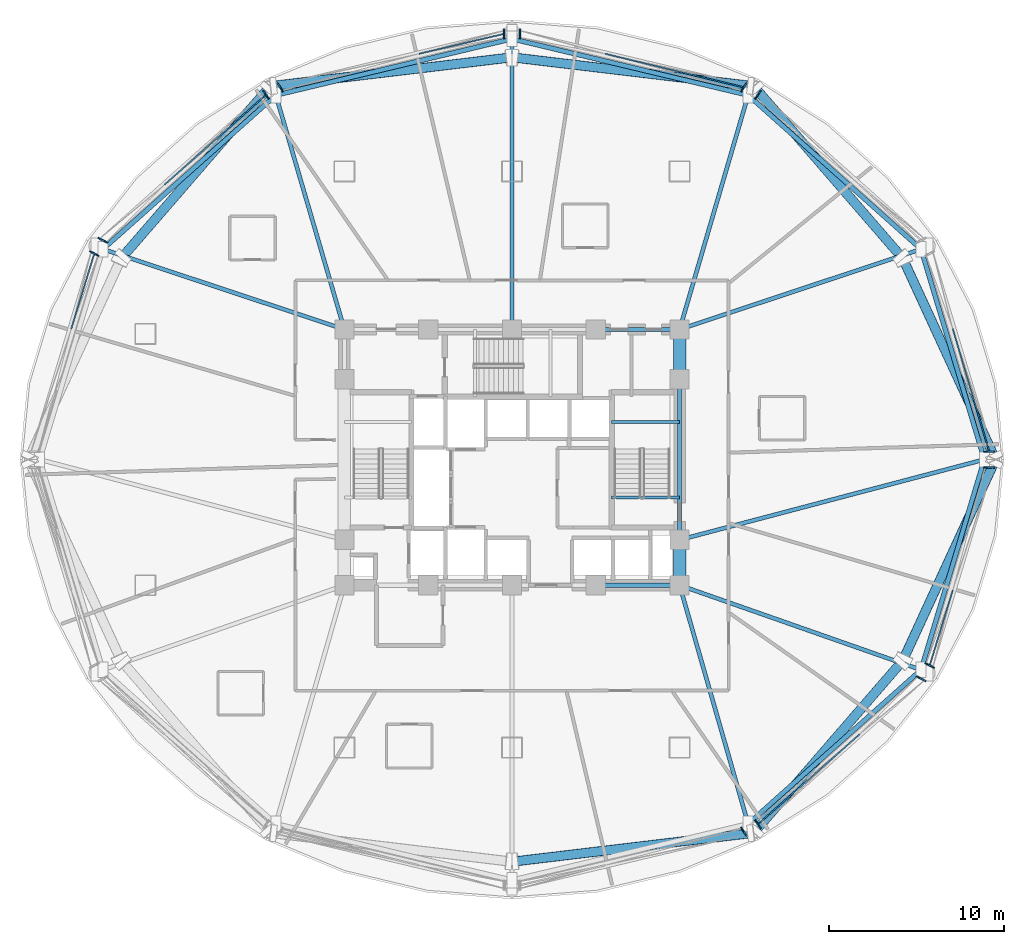
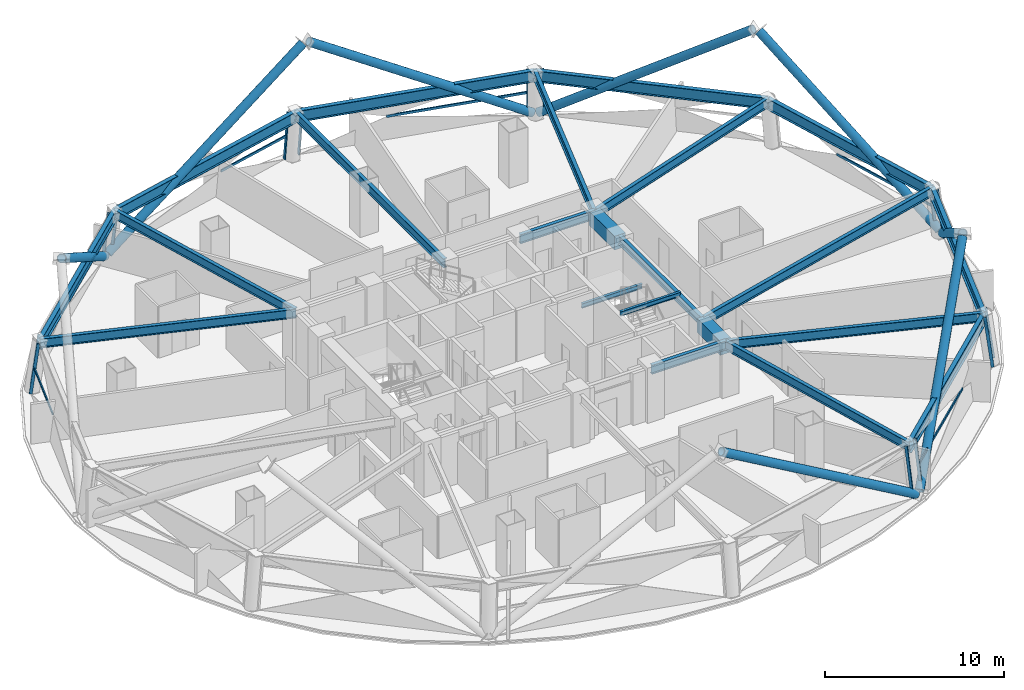
# One storey, part 2 of 13: 29 members, 22 beams, 9 elements without a shape of their own.
"""IFC4 building model written with IfcOpenShell, lengths in metres."""

import ifcopenshell
import ifcopenshell.guid

model = None  # the IFC model being written
_history = None  # IfcOwnerHistory: only IFC2X3 demands one
_inside = {}  # id of a spatial element -> (the spatial element, [elements in it])
_under = {}  # id of a project, library or spatial element -> (it, [spatial elements below it])
_declared = {}  # id of a project -> (the project, [libraries it declares])
_typed = {}  # id of a type object -> (the type object, [elements of that type])
_made_of = {}  # id of a material, layer set ... -> (it, [elements and type objects made of it])


def new_model(schema):
    """Start an empty IFC model of exactly this schema.

    Asked for "IFC4X3", IfcOpenShell would pick the latest addendum, in which some entities
    have other attributes; the version numbers below select the first issue.
    IFC2X3 requires an IfcOwnerHistory on every rooted entity: one is made here for all.
    """
    global model, _history
    if schema == "IFC4X3":
        model = ifcopenshell.file(schema_version=(4, 3, 0, 0))
    else:
        model = ifcopenshell.file(schema=schema)
    _inside.clear()
    _under.clear()
    _declared.clear()
    _typed.clear()
    _made_of.clear()
    _history = None
    if model.schema == "IFC2X3":
        org = make("IfcOrganization", Name="unknown")
        user = make(
            "IfcPersonAndOrganization",
            ThePerson=make("IfcPerson", FamilyName="unknown"),
            TheOrganization=org,
        )
        app = make(
            "IfcApplication",
            ApplicationDeveloper=org,
            Version="unknown",
            ApplicationFullName="unknown",
            ApplicationIdentifier="unknown",
        )
        _history = make(
            "IfcOwnerHistory",
            OwningUser=user,
            OwningApplication=app,
            ChangeAction="ADDED",
            CreationDate=0,
        )
    return model


def make(cls, **values):
    """One entity of the class cls with the attributes given. An attribute that is None is left unset."""
    return model.create_entity(
        cls, **{name: value for name, value in values.items() if value is not None}
    )


def rooted(cls, **values):
    """An entity with a GlobalId (a new one), such as an element, a storey or a relation."""
    return make(cls, GlobalId=ifcopenshell.guid.new(), OwnerHistory=_history, **values)


def si_unit(unit_type, name, prefix=None):
    """IfcSIUnit, for example si_unit("LENGTHUNIT", "METRE", prefix="MILLI")."""
    return make("IfcSIUnit", UnitType=unit_type, Prefix=prefix, Name=name)


def assignment(units):
    """IfcUnitAssignment: the units of a project."""
    return None if units is None else make("IfcUnitAssignment", Units=units)


def point(xyz):
    """IfcCartesianPoint."""
    return None if xyz is None else make("IfcCartesianPoint", Coordinates=xyz)


def direction(xyz):
    """IfcDirection."""
    return None if xyz is None else make("IfcDirection", DirectionRatios=xyz)


def frame(location, z_axis=None, x_axis=None):
    """IfcAxis2Placement3D, a coordinate frame: its origin and axes. An axis left out is left unset."""
    return make(
        "IfcAxis2Placement3D",
        Location=point(location),
        Axis=direction(z_axis),
        RefDirection=direction(x_axis),
    )


def frame_2d(location, x_axis=None):
    """IfcAxis2Placement2D, a coordinate frame in the plane: its origin and x axis."""
    return make(
        "IfcAxis2Placement2D", Location=point(location), RefDirection=direction(x_axis)
    )


def origin():
    """The frame at (0, 0, 0) with its axes left unset."""
    return frame((0.0, 0.0, 0.0))


def origin_2d():
    """The frame at (0, 0) in the plane with its x axis left unset."""
    return frame_2d((0.0, 0.0))


def place(relative_to, where):
    """IfcLocalPlacement: puts the frame where relative to a parent placement (None: the world)."""
    return make(
        "IfcLocalPlacement", PlacementRelTo=relative_to, RelativePlacement=where
    )


def context(
    kind, dimensions, precision=None, world=None, true_north=None, identifier=None
):
    """IfcGeometricRepresentationContext, for example the 3D "Model" context."""
    return make(
        "IfcGeometricRepresentationContext",
        ContextIdentifier=identifier,
        ContextType=kind,
        CoordinateSpaceDimension=dimensions,
        Precision=precision,
        WorldCoordinateSystem=world,
        TrueNorth=true_north,
    )


def subcontext(parent, identifier, kind, view, scale=None):
    """IfcGeometricRepresentationSubContext, for example "Body" below "Model"."""
    return make(
        "IfcGeometricRepresentationSubContext",
        ContextIdentifier=identifier,
        ContextType=kind,
        ParentContext=parent,
        TargetScale=scale,
        TargetView=view,
    )


def project(units=None, contexts=None):
    """IfcProject with its units and contexts."""
    return rooted(
        "IfcProject",
        Name="project",
        RepresentationContexts=contexts,
        UnitsInContext=assignment(units),
    )


def spatial(cls, under=None, at=None, **own):
    """A site, building, storey or space (cls), placed at a placement, below another one or the project."""
    s = rooted(cls, ObjectPlacement=at, **own)
    if under is not None:
        _under.setdefault(under.id(), (under, []))[1].append(s)
    return s


def profile(cls, at=None, kind="AREA", **sizes):
    """A parametric profile (cls). Its sizes go by their IFC names, for example OverallWidth=200.0."""
    return make(cls, ProfileType=kind, Position=at, **sizes)


def rectangle(**sizes):
    """IfcRectangleProfileDef."""
    return profile("IfcRectangleProfileDef", **sizes)


def hollow_rectangle(**sizes):
    """IfcRectangleHollowProfileDef."""
    return profile("IfcRectangleHollowProfileDef", **sizes)


def hollow_circle(**sizes):
    """IfcCircleHollowProfileDef."""
    return profile("IfcCircleHollowProfileDef", **sizes)


def i_section(**sizes):
    """IfcIShapeProfileDef."""
    return profile("IfcIShapeProfileDef", **sizes)


def extrude(swept, where, along, depth):
    """IfcExtrudedAreaSolid: the profile swept, set in the frame where, extruded along a direction by depth."""
    return make(
        "IfcExtrudedAreaSolid",
        SweptArea=swept,
        Position=where,
        ExtrudedDirection=direction(along),
        Depth=depth,
    )


def shape(context_of_items, identifier, shape_type, items):
    """IfcShapeRepresentation: the items that make up one representation, for example the "Body"."""
    return make(
        "IfcShapeRepresentation",
        ContextOfItems=context_of_items,
        RepresentationIdentifier=identifier,
        RepresentationType=shape_type,
        Items=items,
    )


def material(Name=None, Category=None):
    """IfcMaterial."""
    return make("IfcMaterial", Name=Name, Category=Category)


def layer(
    of_material, thickness, ventilated=None, Name=None, Category=None, Priority=None
):
    """IfcMaterialLayer: one layer of a wall or slab, of a material (None: an air gap)."""
    return make(
        "IfcMaterialLayer",
        Material=of_material,
        LayerThickness=thickness,
        IsVentilated=ventilated,
        Name=Name,
        Category=Category,
        Priority=Priority,
    )


def layer_set(layers, Name=None):
    """IfcMaterialLayerSet."""
    return make("IfcMaterialLayerSet", MaterialLayers=layers, LayerSetName=Name)


def material_profile(
    of_material, cross_section, Name=None, Category=None, Priority=None
):
    """IfcMaterialProfile: a cross section and its material."""
    return make(
        "IfcMaterialProfile",
        Name=Name,
        Material=of_material,
        Profile=cross_section,
        Priority=Priority,
        Category=Category,
    )


def profile_set(profiles, Name=None, composite=None):
    """IfcMaterialProfileSet."""
    return make(
        "IfcMaterialProfileSet",
        Name=Name,
        MaterialProfiles=profiles,
        CompositeProfile=composite,
    )


def made_of(thing, what):
    """Note that an element or type object is made of a material, layer set ...; save() writes the relation."""
    if what is not None:
        _made_of.setdefault(what.id(), (what, []))[1].append(thing)
    return thing


def type_object(cls, material=None, **own):
    """A type object (cls), such as IfcWallType, which elements share."""
    return made_of(rooted(cls, **own), material)


def element(
    cls,
    number,
    at=None,
    inside=None,
    cuts=None,
    type_object=None,
    material=None,
    context=None,
    identifier="Body",
    shape_type=None,
    held_by="IfcProductDefinitionShape",
    body=None,
    shapes=None,
    **own,
):
    """One element of the class cls, such as IfcWall. Its Tag is "e" and its number.

    at: its placement. inside: the storey or other place that contains it. cuts: it is an
    opening in that element (IfcRelVoidsElement). A single representation is given by context,
    identifier, shape_type and body (its items); several are given by shapes. held_by: the class
    of the entity that holds the representations. save() writes the other relations.
    """
    e = rooted(cls, Tag="e%d" % number, ObjectPlacement=at, **own)
    if body is not None:
        shapes = [shape(context, identifier, shape_type, body)]
    if shapes is not None:
        e.Representation = make(held_by, Representations=shapes)
    if inside is not None:
        _inside.setdefault(inside.id(), (inside, []))[1].append(e)
    if cuts is not None:
        rooted(
            "IfcRelVoidsElement", RelatingBuildingElement=cuts, RelatedOpeningElement=e
        )
    if type_object is not None:
        _typed.setdefault(type_object.id(), (type_object, []))[1].append(e)
    return made_of(e, material)


def aggregate(whole, parts):
    """IfcRelAggregates: a whole, such as a stair, and the parts it consists of."""
    return rooted("IfcRelAggregates", RelatingObject=whole, RelatedObjects=parts)


def save(model, path):
    """Write the relations noted so far, then the file.

    IfcRelAggregates (storeys below a building ...), IfcRelContainedInSpatialStructure (elements
    in a storey), IfcRelDefinesByType, IfcRelAssociatesMaterial and IfcRelDeclares: one each for
    every whole, place, type object, material and project.
    """
    for whole, parts in _under.values():
        aggregate(whole, parts)
    for where, things in _inside.values():
        rooted(
            "IfcRelContainedInSpatialStructure",
            RelatedElements=things,
            RelatingStructure=where,
        )
    for kind, things in _typed.values():
        rooted("IfcRelDefinesByType", RelatedObjects=things, RelatingType=kind)
    for what, things in _made_of.values():
        rooted("IfcRelAssociatesMaterial", RelatedObjects=things, RelatingMaterial=what)
    for by, libraries in _declared.values():
        rooted("IfcRelDeclares", RelatingContext=by, RelatedDefinitions=libraries)
    model.write(path)


model = new_model("IFC4")

# Units and contexts
model_context = context("Model", 3, precision=1e-05, world=origin(), true_north=direction((0.0, 1.0)))
body_context = subcontext(model_context, "Body", "Model", "MODEL_VIEW")
ifc_project = project(units=[si_unit("LENGTHUNIT", "METRE"), si_unit("AREAUNIT", "SQUARE_METRE"), si_unit("VOLUMEUNIT", "CUBIC_METRE"), si_unit("PLANEANGLEUNIT", "RADIAN"), si_unit("MASSUNIT", "GRAM", prefix="KILO")], contexts=[model_context])

# Site, building, storey
site_placement = place(None, origin())
site = spatial("IfcSite", under=ifc_project, at=site_placement, CompositionType="ELEMENT")
building_placement = place(site_placement, origin())
building = spatial("IfcBuilding", under=site, at=building_placement, Name="Vantalir Tower", CompositionType="ELEMENT")
storey_placement = place(building_placement, frame((0.0, 0.0, 87.0)))
storey = spatial("IfcBuildingStorey", under=building, at=storey_placement, Name="L21", CompositionType="ELEMENT", Elevation=87.0)

# Beams
ifc_material_1 = material(Name="Concrete C60/75", Category="concrete")
ifc_material_profile_1 = material_profile(ifc_material_1, rectangle(XDim=0.699951171875, YDim=0.949951171875, at=origin_2d()), Name="Concrete C60/75")
ifc_profile_set_1 = profile_set([ifc_material_profile_1], Name="Concrete C60/75")
beam_type_1 = type_object("IfcBeamType", Name="BM-CB-700x950", PredefinedType="USERDEFINED", material=ifc_profile_set_1)
beam_1_placement = place(storey_placement, frame((41.10009765625, 17.800048828125, 3.02490234375), z_axis=(0.0, 1.0, 0.0), x_axis=(-1.0, 0.0, 0.0)))
element("IfcBeam", 1, at=beam_1_placement, inside=storey, type_object=beam_type_1, Name="L21 Core Coupling Girder 05", ObjectType="GIRDER", PredefinedType="USERDEFINED", context=body_context, shape_type="SweptSolid", body=[
    extrude(rectangle(XDim=0.699951171875, YDim=0.949951171875, at=origin_2d()), origin(), (0.0, 0.0, 1.0), 2.599853515625),
])
beam_2_placement = place(storey_placement, frame((41.10009765625, 29.60009765625, 3.02490234375), z_axis=(0.0, 1.0, 0.0), x_axis=(-1.0, 0.0, 0.0)))
element("IfcBeam", 2, at=beam_2_placement, inside=storey, type_object=beam_type_1, Name="L21 Core Coupling Girder 07", ObjectType="GIRDER", PredefinedType="USERDEFINED", context=body_context, shape_type="SweptSolid", body=[
    extrude(rectangle(XDim=0.699951171875, YDim=0.949951171875, at=origin_2d()), origin(), (0.0, 0.0, 1.0), 2.849853515625),
])
ifc_material_2 = material(Name="Steel S355", Category="steel")
ifc_material_profile_2 = material_profile(ifc_material_2, i_section(OverallWidth=0.166015625, OverallDepth=0.306884765625, WebThickness=0.006591796875, FlangeThickness=0.01171875, at=origin_2d()), Name="Steel S355")
ifc_profile_set_2 = profile_set([ifc_material_profile_2], Name="Steel S355")
beam_type_2 = type_object("IfcBeamType", Name="BM-JS-305x165", PredefinedType="JOIST", material=ifc_profile_set_2)
for number, where, z_axis, x_axis, name in (
    (3, (37.2099609375, 22.8349609375, 3.595947265625), (1.0, 0.0, 0.0), (0.0, 1.0, 0.0), "L22 Stair ST2 Well Nosing Trimmer Beam"),
    (4, (37.2099609375, 27.14501953125, 1.52197265625), (1.0, 0.0, 0.0), (0.0, 1.0, 0.0), "L21 Stair ST2 Half-Landing Support Beam"),
):
    element("IfcBeam", number, at=place(storey_placement, frame(where, z_axis=z_axis, x_axis=x_axis)), inside=storey, type_object=beam_type_2, Name=name, PredefinedType="JOIST", context=body_context, shape_type="SweptSolid", body=[
        extrude(i_section(OverallWidth=0.166015625, OverallDepth=0.306884765625, WebThickness=0.006591796875, FlangeThickness=0.01171875, at=origin_2d()), origin(), (0.0, 0.0, 1.0), 3.89013671875),
    ])
ifc_material_profile_3 = material_profile(ifc_material_2, i_section(OverallWidth=0.22998046875, OverallDepth=0.616943359375, WebThickness=0.01318359375, FlangeThickness=0.022216796875, at=origin_2d()), Name="Steel S355")
ifc_profile_set_3 = profile_set([ifc_material_profile_3], Name="Steel S355")
beam_type_3 = type_object("IfcBeamType", Name="BM-RB-610x229", PredefinedType="BEAM", material=ifc_profile_set_3)
beam_3_placement = place(storey_placement, frame((36.300048828125, 17.800048828125, 3.19189453125), z_axis=(1.0, 0.0, 0.0), x_axis=(0.0, 1.0, 0.0)))
element("IfcBeam", 5, at=beam_3_placement, inside=storey, type_object=beam_type_3, Name="L21 Core Coupling Girder 04", PredefinedType="BEAM", context=body_context, shape_type="SweptSolid", body=[
    extrude(i_section(OverallWidth=0.22998046875, OverallDepth=0.616943359375, WebThickness=0.01318359375, FlangeThickness=0.022216796875, at=origin_2d()), origin(), (0.0, 0.0, 1.0), 4.800048828125),
])
beam_4_placement = place(storey_placement, frame((41.10009765625, 20.39990234375, 3.19189453125), z_axis=(0.0, 1.0, 0.0), x_axis=(-1.0, 0.0, 0.0)))
element("IfcBeam", 6, at=beam_4_placement, inside=storey, type_object=beam_type_3, Name="L21 Core Coupling Girder 06", PredefinedType="BEAM", context=body_context, shape_type="SweptSolid", body=[
    extrude(i_section(OverallWidth=0.22998046875, OverallDepth=0.616943359375, WebThickness=0.01318359375, FlangeThickness=0.022216796875, at=origin_2d()), origin(), (0.0, 0.0, 1.0), 9.2001953125),
])
beam_5_placement = place(storey_placement, frame((41.10009765625, 32.449951171875, 3.19189453125), z_axis=(-1.0, 0.0, 0.0), x_axis=(0.0, -1.0, 0.0)))
element("IfcBeam", 7, at=beam_5_placement, inside=storey, type_object=beam_type_3, Name="L21 Core Coupling Girder 08", PredefinedType="BEAM", context=body_context, shape_type="SweptSolid", body=[
    extrude(i_section(OverallWidth=0.22998046875, OverallDepth=0.616943359375, WebThickness=0.01318359375, FlangeThickness=0.022216796875, at=origin_2d()), origin(), (0.0, 0.0, 1.0), 4.800048828125),
])
beam_6_placement = place(storey_placement, frame((58.550048828125, 25.0, 3.19189453125), z_axis=(-0.966965272204, -0.25490814493, 0.0), x_axis=(0.25490814493, -0.966965272204, 0.0)))
element("IfcBeam", 8, at=beam_6_placement, inside=storey, type_object=beam_type_3, Name="L21 Radial Floor Beam 01", PredefinedType="BEAM", context=body_context, shape_type="SweptSolid", body=[
    extrude(i_section(OverallWidth=0.22998046875, OverallDepth=0.616943359375, WebThickness=0.01318359375, FlangeThickness=0.022216796875, at=origin_2d()), origin(), (0.0, 0.0, 1.0), 18.046142578125),
])
beam_7_placement = place(storey_placement, frame((54.926025390625, 37.0458984375, 3.19189453125), z_axis=(-0.94894437726, -0.315443447969, 0.0), x_axis=(0.315443447969, -0.94894437726, 0.0)))
element("IfcBeam", 9, at=beam_7_placement, inside=storey, type_object=beam_type_3, Name="L21 Radial Floor Beam 02", PredefinedType="BEAM", context=body_context, shape_type="SweptSolid", body=[
    extrude(i_section(OverallWidth=0.22998046875, OverallDepth=0.616943359375, WebThickness=0.01318359375, FlangeThickness=0.022216796875, at=origin_2d()), origin(), (0.0, 0.0, 1.0), 14.56982421875),
])
beam_8_placement = place(storey_placement, frame((45.02490234375, 45.864990234375, 3.19189453125), z_axis=(-0.280796726267, -0.959767262683, 0.0), x_axis=(0.959767262683, -0.280796726267, 0.0)))
element("IfcBeam", 10, at=beam_8_placement, inside=storey, type_object=beam_type_3, Name="L21 Radial Floor Beam 03", PredefinedType="BEAM", context=body_context, shape_type="SweptSolid", body=[
    extrude(i_section(OverallWidth=0.22998046875, OverallDepth=0.616943359375, WebThickness=0.01318359375, FlangeThickness=0.022216796875, at=origin_2d()), origin(), (0.0, 0.0, 1.0), 13.977294921875),
])
beam_9_placement = place(storey_placement, frame((31.5, 49.093017578125, 3.19189453125), z_axis=(0.0, -1.0, 0.0), x_axis=(1.0, 0.0, 0.0)))
element("IfcBeam", 11, at=beam_9_placement, inside=storey, type_object=beam_type_3, Name="L21 Radial Floor Beam 04", PredefinedType="BEAM", context=body_context, shape_type="SweptSolid", body=[
    extrude(i_section(OverallWidth=0.22998046875, OverallDepth=0.616943359375, WebThickness=0.01318359375, FlangeThickness=0.022216796875, at=origin_2d()), origin(), (0.0, 0.0, 1.0), 16.64306640625),
])
beam_10_placement = place(storey_placement, frame((17.97509765625, 45.864990234375, 3.19189453125), z_axis=(0.280796726267, -0.959767262683, 0.0), x_axis=(0.959767262683, 0.280796726267, 0.0)))
element("IfcBeam", 12, at=beam_10_placement, inside=storey, type_object=beam_type_3, Name="L21 Radial Floor Beam 05", PredefinedType="BEAM", context=body_context, shape_type="SweptSolid", body=[
    extrude(i_section(OverallWidth=0.22998046875, OverallDepth=0.616943359375, WebThickness=0.01318359375, FlangeThickness=0.022216796875, at=origin_2d()), origin(), (0.0, 0.0, 1.0), 13.977294921875),
])
beam_11_placement = place(storey_placement, frame((8.073974609375, 37.0458984375, 3.19189453125), z_axis=(0.94894437726, -0.315443447969, 0.0), x_axis=(0.315443447969, 0.94894437726, 0.0)))
element("IfcBeam", 13, at=beam_11_placement, inside=storey, type_object=beam_type_3, Name="L21 Radial Floor Beam 06", PredefinedType="BEAM", context=body_context, shape_type="SweptSolid", body=[
    extrude(i_section(OverallWidth=0.22998046875, OverallDepth=0.616943359375, WebThickness=0.01318359375, FlangeThickness=0.022216796875, at=origin_2d()), origin(), (0.0, 0.0, 1.0), 14.56982421875),
])
beam_12_placement = place(storey_placement, frame((45.02490234375, 4.135009765625, 3.19189453125), z_axis=(-0.276054434933, 0.961142002492, 0.0), x_axis=(-0.961142002492, -0.276054434933, 0.0)))
element("IfcBeam", 14, at=beam_12_placement, inside=storey, type_object=beam_type_3, Name="L21 Radial Floor Beam 11", PredefinedType="BEAM", context=body_context, shape_type="SweptSolid", body=[
    extrude(i_section(OverallWidth=0.22998046875, OverallDepth=0.616943359375, WebThickness=0.01318359375, FlangeThickness=0.022216796875, at=origin_2d()), origin(), (0.0, 0.0, 1.0), 14.217529296875),
])
beam_13_placement = place(storey_placement, frame((54.926025390625, 12.952880859375, 3.19189453125), z_axis=(-0.943685986294, 0.330842499194, 0.0), x_axis=(-0.330842499194, -0.943685986294, 0.0)))
element("IfcBeam", 15, at=beam_13_placement, inside=storey, type_object=beam_type_3, Name="L21 Radial Floor Beam 12", PredefinedType="BEAM", context=body_context, shape_type="SweptSolid", body=[
    extrude(i_section(OverallWidth=0.22998046875, OverallDepth=0.616943359375, WebThickness=0.01318359375, FlangeThickness=0.022216796875, at=origin_2d()), origin(), (0.0, 0.0, 1.0), 14.65087890625),
])
ifc_material_3 = material(Name="Steel S460", Category="steel")
ifc_material_profile_4 = material_profile(ifc_material_3, i_section(OverallWidth=0.26806640625, OverallDepth=0.77001953125, WebThickness=0.015625, FlangeThickness=0.025390625, at=origin_2d()), Name="Steel S460")
ifc_profile_set_4 = profile_set([ifc_material_profile_4], Name="Steel S460")
beam_type_4 = type_object("IfcBeamType", Name="BM-RG-762x267", PredefinedType="USERDEFINED", material=ifc_profile_set_4)
beam_14_placement = place(storey_placement, frame((58.550048828125, 25.0, 3.114990234375), z_axis=(-0.288095637705, 0.95760164136, 0.0), x_axis=(-0.95760164136, -0.288095637705, 0.0)))
element("IfcBeam", 16, at=beam_14_placement, inside=storey, type_object=beam_type_4, Name="L21 Circumferential Ring Girder 01", ObjectType="GIRDER", PredefinedType="USERDEFINED", context=body_context, shape_type="SweptSolid", body=[
    extrude(i_section(OverallWidth=0.26806640625, OverallDepth=0.77001953125, WebThickness=0.015625, FlangeThickness=0.025390625, at=origin_2d()), origin(), (0.0, 0.0, 1.0), 12.579345703125),
])
beam_15_placement = place(storey_placement, frame((54.926025390625, 37.0458984375, 3.114990234375), z_axis=(-0.746731338697, 0.665125783448, 0.0), x_axis=(-0.665125783448, -0.746731338697, 0.0)))
element("IfcBeam", 17, at=beam_15_placement, inside=storey, type_object=beam_type_4, Name="L21 Circumferential Ring Girder 02", ObjectType="GIRDER", PredefinedType="USERDEFINED", context=body_context, shape_type="SweptSolid", body=[
    extrude(i_section(OverallWidth=0.26806640625, OverallDepth=0.77001953125, WebThickness=0.015625, FlangeThickness=0.025390625, at=origin_2d()), origin(), (0.0, 0.0, 1.0), 13.25927734375),
])
for number, where, z_axis, x_axis, name in (
    (18, (45.02490234375, 45.864990234375, 3.114990234375), (-0.972679470738, 0.232152206977, 0.0), (-0.232152206977, -0.972679470738, 0.0), "L21 Circumferential Ring Girder 03"),
    (19, (31.5, 49.093017578125, 3.114990234375), (-0.972679470738, -0.232152206977, 0.0), (0.232152206977, -0.972679470738, 0.0), "L21 Circumferential Ring Girder 04"),
):
    element("IfcBeam", number, at=place(storey_placement, frame(where, z_axis=z_axis, x_axis=x_axis)), inside=storey, type_object=beam_type_4, Name=name, ObjectType="GIRDER", PredefinedType="USERDEFINED", context=body_context, shape_type="SweptSolid", body=[
        extrude(i_section(OverallWidth=0.26806640625, OverallDepth=0.77001953125, WebThickness=0.015625, FlangeThickness=0.025390625, at=origin_2d()), origin(), (0.0, 0.0, 1.0), 13.90478515625),
    ])
beam_16_placement = place(storey_placement, frame((17.97509765625, 45.864990234375, 3.114990234375), z_axis=(-0.746731338697, -0.665125783448, 0.0), x_axis=(0.665125783448, -0.746731338697, 0.0)))
element("IfcBeam", 20, at=beam_16_placement, inside=storey, type_object=beam_type_4, Name="L21 Circumferential Ring Girder 05", ObjectType="GIRDER", PredefinedType="USERDEFINED", context=body_context, shape_type="SweptSolid", body=[
    extrude(i_section(OverallWidth=0.26806640625, OverallDepth=0.77001953125, WebThickness=0.015625, FlangeThickness=0.025390625, at=origin_2d()), origin(), (0.0, 0.0, 1.0), 13.25927734375),
])
beam_17_placement = place(storey_placement, frame((45.02490234375, 4.135009765625, 3.114990234375), z_axis=(0.746777065198, 0.665074443122, 0.0), x_axis=(-0.665074443122, 0.746777065198, 0.0)))
element("IfcBeam", 21, at=beam_17_placement, inside=storey, type_object=beam_type_4, Name="L21 Circumferential Ring Girder 11", ObjectType="GIRDER", PredefinedType="USERDEFINED", context=body_context, shape_type="SweptSolid", body=[
    extrude(i_section(OverallWidth=0.26806640625, OverallDepth=0.77001953125, WebThickness=0.015625, FlangeThickness=0.025390625, at=origin_2d()), origin(), (0.0, 0.0, 1.0), 13.258544921875),
])
beam_18_placement = place(storey_placement, frame((54.926025390625, 12.952880859375, 3.114990234375), z_axis=(0.288068868296, 0.957609694562, 0.0), x_axis=(-0.957609694562, 0.288068868296, 0.0)))
element("IfcBeam", 22, at=beam_18_placement, inside=storey, type_object=beam_type_4, Name="L21 Circumferential Ring Girder 12", ObjectType="GIRDER", PredefinedType="USERDEFINED", context=body_context, shape_type="SweptSolid", body=[
    extrude(i_section(OverallWidth=0.26806640625, OverallDepth=0.77001953125, WebThickness=0.015625, FlangeThickness=0.025390625, at=origin_2d()), origin(), (0.0, 0.0, 1.0), 12.580322265625),
])

# Curtain wall, member
ifc_material_4 = material(Name="Champagne-silver PVDF aluminium and double-silver Low-E glass", Category="aluminium")
ifc_layer = layer(ifc_material_4, 0.18994140625)
ifc_layer_set = layer_set([ifc_layer], Name="Champagne-silver PVDF aluminium and double-silver Low-E glass")
curtain_wall_type = type_object("IfcCurtainWallType", Name="CW-DIAMOND-Z1", PredefinedType="USERDEFINED", material=ifc_layer_set)
curtain_wall_1_placement = place(storey_placement, origin())
curtain_wall_1 = element("IfcCurtainWall", 23, at=curtain_wall_1_placement, inside=storey, type_object=curtain_wall_type, Name="L21 Quilted Pyramid-Diamond Curtain Wall S01", ObjectType="UNITISED CURTAIN WALL", PredefinedType="USERDEFINED")
ifc_material_5 = material(Name="Champagne-silver PVDF aluminium 6063-T6", Category="aluminium")
ifc_material_profile_5 = material_profile(ifc_material_5, hollow_rectangle(XDim=0.074951171875, YDim=0.179931640625, WallThickness=0.00390625, at=origin_2d()), Name="Champagne-silver PVDF aluminium 6063-T6")
ifc_profile_set_5 = profile_set([ifc_material_profile_5], Name="Champagne-silver PVDF aluminium 6063-T6")
member_type_1 = type_object("IfcMemberType", Name="CWM-180x75", PredefinedType="MULLION", material=ifc_profile_set_5)
member_1_placement = place(storey_placement, frame((59.054931640625, 25.449951171875, 0.044921875), z_axis=(-0.130810693925, 0.0, 0.991407364485), x_axis=(0.0, -1.0, 0.0)))
member_1 = element("IfcMember", 24, at=member_1_placement, type_object=member_type_1, Name="CW-L21-S01 Mullion 1", PredefinedType="MULLION", context=body_context, shape_type="SweptSolid", body=[
    extrude(hollow_rectangle(XDim=0.074951171875, YDim=0.179931640625, WallThickness=0.00390625, at=origin_2d()), origin(), (0.0, 0.0, 1.0), 3.439697265625),
])

curtain_wall_2_placement = place(storey_placement, origin())
curtain_wall_2 = element("IfcCurtainWall", 25, at=curtain_wall_2_placement, inside=storey, type_object=curtain_wall_type, Name="L21 Quilted Pyramid-Diamond Curtain Wall S02", ObjectType="UNITISED CURTAIN WALL", PredefinedType="USERDEFINED")
member_2_placement = place(storey_placement, frame((45.696044921875, 46.06494140625, 0.044921875), z_axis=(-0.065526047627, -0.101273989011, 0.99269830071), x_axis=(0.839585964149, -0.543226848383, 0.0)))
member_2 = element("IfcMember", 26, at=member_2_placement, type_object=member_type_1, Name="CW-L21-S02 Mullion 2", PredefinedType="MULLION", context=body_context, shape_type="SweptSolid", body=[
    extrude(hollow_rectangle(XDim=0.074951171875, YDim=0.179931640625, WallThickness=0.00390625, at=origin_2d()), origin(), (0.0, 0.0, 1.0), 3.435302734375),
])
aggregate(curtain_wall_2, [member_2])

# Curtain wall, members
curtain_wall_3_placement = place(storey_placement, origin())
curtain_wall_3 = element("IfcCurtainWall", 27, at=curtain_wall_3_placement, inside=storey, type_object=curtain_wall_type, Name="L21 Quilted Pyramid-Diamond Curtain Wall S03", ObjectType="UNITISED CURTAIN WALL", PredefinedType="USERDEFINED")
member_3_placement = place(storey_placement, frame((44.887939453125, 46.487060546875, 0.044921875), z_axis=(-0.065454811537, -0.101344800491, 0.992695773669), x_axis=(0.840028191384, -0.542542751938, 0.0)))
member_3 = element("IfcMember", 28, at=member_3_placement, type_object=member_type_1, Name="CW-L21-S03 Mullion 1", PredefinedType="MULLION", context=body_context, shape_type="SweptSolid", body=[
    extrude(hollow_rectangle(XDim=0.074951171875, YDim=0.179931640625, WallThickness=0.00390625, at=origin_2d()), origin(), (0.0, 0.0, 1.0), 3.435302734375),
])
member_4_placement = place(storey_placement, frame((31.95703125, 49.575927734375, 0.044921875), z_axis=(0.0, -0.117031007871, 0.993128261201), x_axis=(1.0, 0.0, 0.0)))
member_4 = element("IfcMember", 29, at=member_4_placement, type_object=member_type_1, Name="CW-L21-S03 Mullion 2", PredefinedType="MULLION", context=body_context, shape_type="SweptSolid", body=[
    extrude(hollow_rectangle(XDim=0.074951171875, YDim=0.179931640625, WallThickness=0.00390625, at=origin_2d()), origin(), (0.0, 0.0, 1.0), 3.433837890625),
])

curtain_wall_4_placement = place(storey_placement, origin())
curtain_wall_4 = element("IfcCurtainWall", 30, at=curtain_wall_4_placement, inside=storey, type_object=curtain_wall_type, Name="L21 Quilted Pyramid-Diamond Curtain Wall S04", ObjectType="UNITISED CURTAIN WALL", PredefinedType="USERDEFINED")
member_5_placement = place(storey_placement, frame((31.04296875, 49.575927734375, 0.044921875), z_axis=(0.0, -0.117031007871, 0.993128261201), x_axis=(1.0, 0.0, 0.0)))
member_5 = element("IfcMember", 31, at=member_5_placement, type_object=member_type_1, Name="CW-L21-S04 Mullion 1", PredefinedType="MULLION", context=body_context, shape_type="SweptSolid", body=[
    extrude(hollow_rectangle(XDim=0.074951171875, YDim=0.179931640625, WallThickness=0.00390625, at=origin_2d()), origin(), (0.0, 0.0, 1.0), 3.433837890625),
])
member_6_placement = place(storey_placement, frame((18.112060546875, 46.487060546875, 0.044921875), z_axis=(0.065454811537, -0.101344800491, 0.992695773669), x_axis=(0.840028191384, 0.542542751938, 0.0)))
member_6 = element("IfcMember", 32, at=member_6_placement, type_object=member_type_1, Name="CW-L21-S04 Mullion 2", PredefinedType="MULLION", context=body_context, shape_type="SweptSolid", body=[
    extrude(hollow_rectangle(XDim=0.074951171875, YDim=0.179931640625, WallThickness=0.00390625, at=origin_2d()), origin(), (0.0, 0.0, 1.0), 3.435302734375),
])

curtain_wall_5_placement = place(storey_placement, origin())
curtain_wall_5 = element("IfcCurtainWall", 33, at=curtain_wall_5_placement, inside=storey, type_object=curtain_wall_type, Name="L21 Quilted Pyramid-Diamond Curtain Wall S05", ObjectType="UNITISED CURTAIN WALL", PredefinedType="USERDEFINED")
member_7_placement = place(storey_placement, frame((17.303955078125, 46.06494140625, 0.044921875), z_axis=(0.065526047627, -0.101273989011, 0.99269830071), x_axis=(0.839585964149, 0.543226848383, 0.0)))
member_7 = element("IfcMember", 34, at=member_7_placement, type_object=member_type_1, Name="CW-L21-S05 Mullion 1", PredefinedType="MULLION", context=body_context, shape_type="SweptSolid", body=[
    extrude(hollow_rectangle(XDim=0.074951171875, YDim=0.179931640625, WallThickness=0.00390625, at=origin_2d()), origin(), (0.0, 0.0, 1.0), 3.435302734375),
])
member_8_placement = place(storey_placement, frame((7.87109375, 37.655029296875, 0.044921875), z_axis=(0.113118208064, -0.058440857022, 0.991861349804), x_axis=(0.458998041564, 0.888437278507, 0.0)))
member_8 = element("IfcMember", 35, at=member_8_placement, type_object=member_type_1, Name="CW-L21-S05 Mullion 2", PredefinedType="MULLION", context=body_context, shape_type="SweptSolid", body=[
    extrude(hollow_rectangle(XDim=0.074951171875, YDim=0.179931640625, WallThickness=0.00390625, at=origin_2d()), origin(), (0.0, 0.0, 1.0), 3.438232421875),
])

# Curtain wall, member
curtain_wall_6_placement = place(storey_placement, origin())
curtain_wall_6 = element("IfcCurtainWall", 36, at=curtain_wall_6_placement, inside=storey, type_object=curtain_wall_type, Name="L21 Quilted Pyramid-Diamond Curtain Wall S06", ObjectType="UNITISED CURTAIN WALL", PredefinedType="USERDEFINED")
member_9_placement = place(storey_placement, frame((7.385009765625, 36.89208984375, 0.044921875), z_axis=(0.113117738357, -0.058511623607, 0.991857231244), x_axis=(0.459438087235, 0.888209797288, 0.0)))
member_9 = element("IfcMember", 37, at=member_9_placement, type_object=member_type_1, Name="CW-L21-S06 Mullion 1", PredefinedType="MULLION", context=body_context, shape_type="SweptSolid", body=[
    extrude(hollow_rectangle(XDim=0.074951171875, YDim=0.179931640625, WallThickness=0.00390625, at=origin_2d()), origin(), (0.0, 0.0, 1.0), 3.438232421875),
])

curtain_wall_7_placement = place(storey_placement, origin())
curtain_wall_7 = element("IfcCurtainWall", 38, at=curtain_wall_7_placement, inside=storey, type_object=curtain_wall_type, Name="L21 Quilted Pyramid-Diamond Curtain Wall S10", ObjectType="UNITISED CURTAIN WALL", PredefinedType="USERDEFINED")
member_10_placement = place(storey_placement, frame((44.887939453125, 3.512939453125, 0.044921875), z_axis=(-0.065454811537, 0.101344800491, 0.992695773669), x_axis=(-0.840028191384, -0.542542751938, 0.0)))
member_10 = element("IfcMember", 39, at=member_10_placement, type_object=member_type_1, Name="CW-L21-S10 Mullion 2", PredefinedType="MULLION", context=body_context, shape_type="SweptSolid", body=[
    extrude(hollow_rectangle(XDim=0.074951171875, YDim=0.179931640625, WallThickness=0.00390625, at=origin_2d()), origin(), (0.0, 0.0, 1.0), 3.435302734375),
])
aggregate(curtain_wall_7, [member_10])

# Curtain wall, members
curtain_wall_8_placement = place(storey_placement, origin())
curtain_wall_8 = element("IfcCurtainWall", 40, at=curtain_wall_8_placement, inside=storey, type_object=curtain_wall_type, Name="L21 Quilted Pyramid-Diamond Curtain Wall S11", ObjectType="UNITISED CURTAIN WALL", PredefinedType="USERDEFINED")
member_11_placement = place(storey_placement, frame((45.696044921875, 3.93505859375, 0.044921875), z_axis=(-0.065526047627, 0.101273989011, 0.99269830071), x_axis=(-0.839585964149, -0.543226848383, 0.0)))
member_11 = element("IfcMember", 41, at=member_11_placement, type_object=member_type_1, Name="CW-L21-S11 Mullion 1", PredefinedType="MULLION", context=body_context, shape_type="SweptSolid", body=[
    extrude(hollow_rectangle(XDim=0.074951171875, YDim=0.179931640625, WallThickness=0.00390625, at=origin_2d()), origin(), (0.0, 0.0, 1.0), 3.435302734375),
])
member_12_placement = place(storey_placement, frame((55.12890625, 12.343994140625, 0.044921875), z_axis=(-0.113118208064, 0.058440857022, 0.991861349804), x_axis=(-0.458998041564, -0.888437278507, 0.0)))
member_12 = element("IfcMember", 42, at=member_12_placement, type_object=member_type_1, Name="CW-L21-S11 Mullion 2", PredefinedType="MULLION", context=body_context, shape_type="SweptSolid", body=[
    extrude(hollow_rectangle(XDim=0.074951171875, YDim=0.179931640625, WallThickness=0.00390625, at=origin_2d()), origin(), (0.0, 0.0, 1.0), 3.438232421875),
])

curtain_wall_9_placement = place(storey_placement, origin())
curtain_wall_9 = element("IfcCurtainWall", 43, at=curtain_wall_9_placement, inside=storey, type_object=curtain_wall_type, Name="L21 Quilted Pyramid-Diamond Curtain Wall S12", ObjectType="UNITISED CURTAIN WALL", PredefinedType="USERDEFINED")
member_13_placement = place(storey_placement, frame((55.614990234375, 13.10693359375, 0.044921875), z_axis=(-0.113117738357, 0.058511623607, 0.991857231244), x_axis=(-0.459438087235, -0.888209797288, 0.0)))
member_13 = element("IfcMember", 44, at=member_13_placement, type_object=member_type_1, Name="CW-L21-S12 Mullion 1", PredefinedType="MULLION", context=body_context, shape_type="SweptSolid", body=[
    extrude(hollow_rectangle(XDim=0.074951171875, YDim=0.179931640625, WallThickness=0.00390625, at=origin_2d()), origin(), (0.0, 0.0, 1.0), 3.438232421875),
])
member_14_placement = place(storey_placement, frame((59.054931640625, 24.550048828125, 0.044921875), z_axis=(-0.130810693925, 0.0, 0.991407364485), x_axis=(0.0, -1.0, 0.0)))
member_14 = element("IfcMember", 45, at=member_14_placement, type_object=member_type_1, Name="CW-L21-S12 Mullion 2", PredefinedType="MULLION", context=body_context, shape_type="SweptSolid", body=[
    extrude(hollow_rectangle(XDim=0.074951171875, YDim=0.179931640625, WallThickness=0.00390625, at=origin_2d()), origin(), (0.0, 0.0, 1.0), 3.439697265625),
])

# Member
ifc_material_profile_6 = material_profile(ifc_material_5, hollow_rectangle(XDim=0.074951171875, YDim=0.159912109375, WallThickness=0.00390625, at=origin_2d()), Name="Champagne-silver PVDF aluminium 6063-T6")
ifc_profile_set_6 = profile_set([ifc_material_profile_6], Name="Champagne-silver PVDF aluminium 6063-T6")
member_type_2 = type_object("IfcMemberType", Name="CWT-160x75", PredefinedType="USERDEFINED", material=ifc_profile_set_6)
member_15_placement = place(storey_placement, frame((58.830078125, 25.449951171875, 1.75), z_axis=(-0.284766335123, 0.958596961387, 0.0), x_axis=(-0.958596961387, -0.284766335123, 0.0)))
member_15 = element("IfcMember", 46, at=member_15_placement, type_object=member_type_2, Name="CW-L21-S01 Pyramid Fold Ridge Transom", ObjectType="TRANSOM", PredefinedType="USERDEFINED", context=body_context, shape_type="SweptSolid", body=[
    extrude(hollow_rectangle(XDim=0.074951171875, YDim=0.159912109375, WallThickness=0.00390625, at=origin_2d()), origin(), (0.0, 0.0, 1.0), 7.343017578125),
])

aggregate(curtain_wall_1, [member_1, member_15])

member_16_placement = place(storey_placement, frame((44.77490234375, 46.31298828125, 1.75), z_axis=(-0.971939385494, 0.235231441193, 0.0), x_axis=(-0.235231441193, -0.971939385494, 0.0)))
member_16 = element("IfcMember", 47, at=member_16_placement, type_object=member_type_2, Name="CW-L21-S03 Pyramid Fold Ridge Transom", ObjectType="TRANSOM", PredefinedType="USERDEFINED", context=body_context, shape_type="SweptSolid", body=[
    extrude(hollow_rectangle(XDim=0.074951171875, YDim=0.159912109375, WallThickness=0.00390625, at=origin_2d()), origin(), (0.0, 0.0, 1.0), 8.171142578125),
])

aggregate(curtain_wall_3, [member_3, member_4, member_16])

member_17_placement = place(storey_placement, frame((31.04296875, 49.375, 1.75), z_axis=(-0.973745461907, -0.227639573485, 0.0), x_axis=(0.227639573485, -0.973745461907, 0.0)))
member_17 = element("IfcMember", 48, at=member_17_placement, type_object=member_type_2, Name="CW-L21-S04 Pyramid Fold Ridge Transom", ObjectType="TRANSOM", PredefinedType="USERDEFINED", context=body_context, shape_type="SweptSolid", body=[
    extrude(hollow_rectangle(XDim=0.074951171875, YDim=0.159912109375, WallThickness=0.00390625, at=origin_2d()), origin(), (0.0, 0.0, 1.0), 5.00732421875),
])

aggregate(curtain_wall_4, [member_5, member_6, member_17])

member_18_placement = place(storey_placement, frame((17.4169921875, 45.89111328125, 1.75), z_axis=(-0.748463877233, -0.663175560827, 0.0), x_axis=(0.663175560827, -0.748463877233, 0.0)))
member_18 = element("IfcMember", 49, at=member_18_placement, type_object=member_type_2, Name="CW-L21-S05 Pyramid Fold Ridge Transom", ObjectType="TRANSOM", PredefinedType="USERDEFINED", context=body_context, shape_type="SweptSolid", body=[
    extrude(hollow_rectangle(XDim=0.074951171875, YDim=0.159912109375, WallThickness=0.00390625, at=origin_2d()), origin(), (0.0, 0.0, 1.0), 7.771728515625),
])

aggregate(curtain_wall_5, [member_7, member_8, member_18])

member_19_placement = place(storey_placement, frame((7.5791015625, 36.791015625, 1.75), z_axis=(-0.292953208145, -0.956126779166, 0.0), x_axis=(0.956126779166, -0.292953208145, 0.0)))
member_19 = element("IfcMember", 50, at=member_19_placement, type_object=member_type_2, Name="CW-L21-S06 Pyramid Fold Ridge Transom", ObjectType="TRANSOM", PredefinedType="USERDEFINED", context=body_context, shape_type="SweptSolid", body=[
    extrude(hollow_rectangle(XDim=0.074951171875, YDim=0.159912109375, WallThickness=0.00390625, at=origin_2d()), origin(), (0.0, 0.0, 1.0), 4.49951171875),
])

aggregate(curtain_wall_6, [member_9, member_19])

member_20_placement = place(storey_placement, frame((45.5830078125, 4.10888671875, 1.75), z_axis=(0.748526249595, 0.663105160338, 0.0), x_axis=(-0.663105160338, 0.748526249595, 0.0)))
member_20 = element("IfcMember", 51, at=member_20_placement, type_object=member_type_2, Name="CW-L21-S11 Pyramid Fold Ridge Transom", ObjectType="TRANSOM", PredefinedType="USERDEFINED", context=body_context, shape_type="SweptSolid", body=[
    extrude(hollow_rectangle(XDim=0.074951171875, YDim=0.159912109375, WallThickness=0.00390625, at=origin_2d()), origin(), (0.0, 0.0, 1.0), 7.771240234375),
])

aggregate(curtain_wall_8, [member_11, member_12, member_20])

member_21_placement = place(storey_placement, frame((55.4208984375, 13.2080078125, 1.75), z_axis=(0.292892426454, 0.956145400306, 0.0), x_axis=(-0.956145400306, 0.292892426454, 0.0)))
member_21 = element("IfcMember", 52, at=member_21_placement, type_object=member_type_2, Name="CW-L21-S12 Pyramid Fold Ridge Transom", ObjectType="TRANSOM", PredefinedType="USERDEFINED", context=body_context, shape_type="SweptSolid", body=[
    extrude(hollow_rectangle(XDim=0.074951171875, YDim=0.159912109375, WallThickness=0.00390625, at=origin_2d()), origin(), (0.0, 0.0, 1.0), 4.500244140625),
])

aggregate(curtain_wall_9, [member_13, member_14, member_21])

# Members
ifc_material_profile_7 = material_profile(ifc_material_3, hollow_circle(Radius=0.27001953125, WallThickness=0.044921875, at=origin_2d()), Name="Steel S460")
ifc_profile_set_7 = profile_set([ifc_material_profile_7], Name="Steel S460")
member_type_3 = type_object("IfcMemberType", Name="MEM-DB-540x45", PredefinedType="BRACE", material=ifc_profile_set_7)
member_22_placement = place(storey_placement, frame((59.114013671875, 25.1640625, 0.2060546875), z_axis=(-0.343969096559, 0.745811583577, 0.570482552244), x_axis=(-0.908075923895, -0.418805583108, 0.0)))
element("IfcMember", 53, at=member_22_placement, inside=storey, type_object=member_type_3, Name="L21 Perimeter S460 Diagrid Brace R01L", PredefinedType="BRACE", context=body_context, shape_type="SweptSolid", body=[
    extrude(hollow_circle(Radius=0.27001953125, WallThickness=0.044921875, at=origin_2d()), origin(), (0.0, 0.0, 1.0), 15.0009765625),
])
member_23_placement = place(storey_placement, frame((59.114013671875, 24.8359375, 0.2060546875), z_axis=(-0.343952396691, -0.745840470326, 0.570454855037), x_axis=(0.908089824965, -0.418775440773, 0.0)))
element("IfcMember", 54, at=member_23_placement, inside=storey, type_object=member_type_3, Name="L21 Perimeter S460 Diagrid Brace R01R", PredefinedType="BRACE", context=body_context, shape_type="SweptSolid", body=[
    extrude(hollow_circle(Radius=0.27001953125, WallThickness=0.044921875, at=origin_2d()), origin(), (0.0, 0.0, 1.0), 15.001708984375),
])
member_24_placement = place(storey_placement, frame((45.159912109375, 46.39990234375, 0.197998046875), z_axis=(-0.839427970097, 0.100363908008, 0.534123364953), x_axis=(-0.118716738441, -0.992928162565, 0.0)))
element("IfcMember", 55, at=member_24_placement, inside=storey, type_object=member_type_3, Name="L21 Perimeter S460 Diagrid Brace R07L", PredefinedType="BRACE", context=body_context, shape_type="SweptSolid", body=[
    extrude(hollow_circle(Radius=0.27001953125, WallThickness=0.044921875, at=origin_2d()), origin(), (0.0, 0.0, 1.0), 16.052490234375),
])
for number, where, z_axis, x_axis, name in (
    (56, (45.464111328125, 46.239990234375, 0.202880859375), (0.542207809816, -0.626596640117, 0.5598100942), (0.756192139966, 0.654349637008, 0.0), "L21 Perimeter S460 Diagrid Brace R07R"),
    (57, (17.535888671875, 46.239990234375, 0.202880859375), (-0.542207809816, -0.626596640117, 0.5598100942), (0.756192139966, -0.654349637008, 0.0), "L21 Perimeter S460 Diagrid Brace R13L"),
):
    element("IfcMember", number, at=place(storey_placement, frame(where, z_axis=z_axis, x_axis=x_axis)), inside=storey, type_object=member_type_3, Name=name, PredefinedType="BRACE", context=body_context, shape_type="SweptSolid", body=[
        extrude(hollow_circle(Radius=0.27001953125, WallThickness=0.044921875, at=origin_2d()), origin(), (0.0, 0.0, 1.0), 15.29833984375),
    ])
member_25_placement = place(storey_placement, frame((17.840087890625, 46.39990234375, 0.197998046875), z_axis=(0.839427970097, 0.100363908008, 0.534123364953), x_axis=(-0.118716738441, 0.992928162565, 0.0)))
element("IfcMember", 58, at=member_25_placement, inside=storey, type_object=member_type_3, Name="L21 Perimeter S460 Diagrid Brace R13R", PredefinedType="BRACE", context=body_context, shape_type="SweptSolid", body=[
    extrude(hollow_circle(Radius=0.27001953125, WallThickness=0.044921875, at=origin_2d()), origin(), (0.0, 0.0, 1.0), 16.052490234375),
])
member_26_placement = place(storey_placement, frame((45.464111328125, 3.760009765625, 0.202880859375), z_axis=(0.542229497405, 0.62655786638, 0.559832485857), x_axis=(-0.756159152019, 0.654387757234, 0.0)))
element("IfcMember", 59, at=member_26_placement, inside=storey, type_object=member_type_3, Name="L21 Perimeter S460 Diagrid Brace R31L", PredefinedType="BRACE", context=body_context, shape_type="SweptSolid", body=[
    extrude(hollow_circle(Radius=0.27001953125, WallThickness=0.044921875, at=origin_2d()), origin(), (0.0, 0.0, 1.0), 15.2978515625),
])
member_27_placement = place(storey_placement, frame((45.159912109375, 3.60009765625, 0.197998046875), z_axis=(-0.839427970097, -0.100363908008, 0.534123364953), x_axis=(0.118716738441, -0.992928162565, 0.0)))
element("IfcMember", 60, at=member_27_placement, inside=storey, type_object=member_type_3, Name="L21 Perimeter S460 Diagrid Brace R31R", PredefinedType="BRACE", context=body_context, shape_type="SweptSolid", body=[
    extrude(hollow_circle(Radius=0.27001953125, WallThickness=0.044921875, at=origin_2d()), origin(), (0.0, 0.0, 1.0), 16.052490234375),
])

save(model, "model.ifc")
